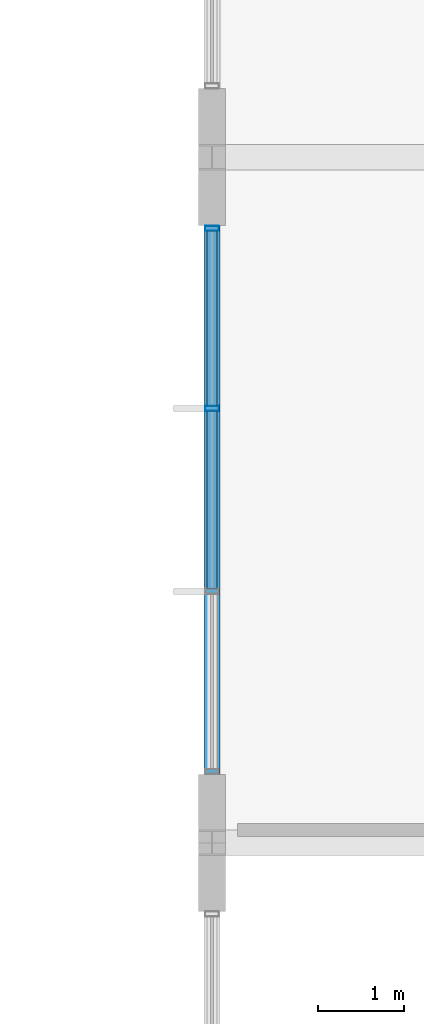
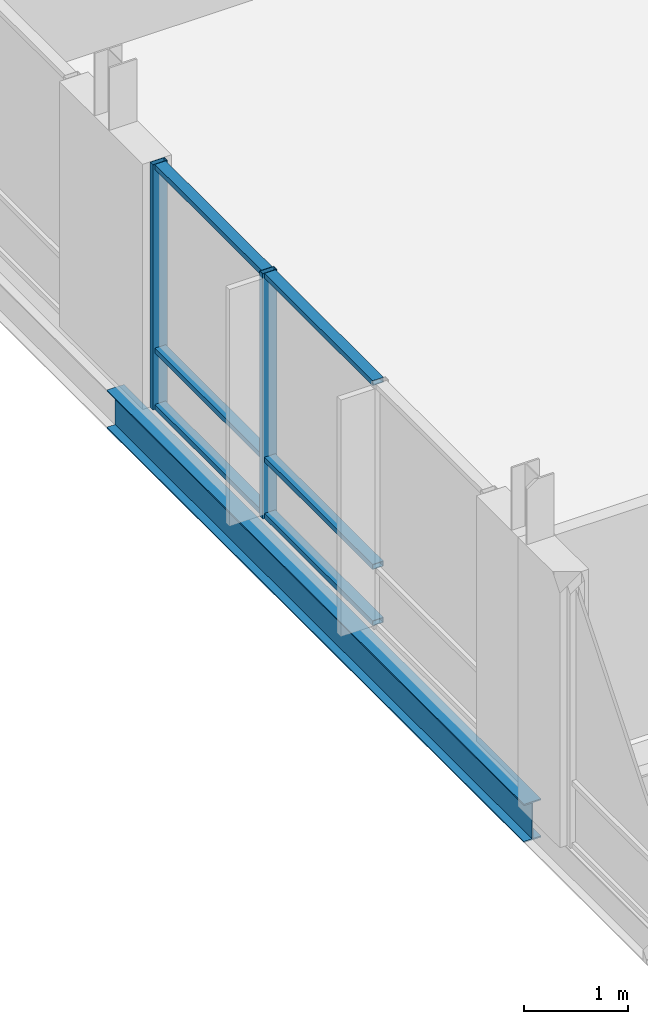
# One storey, part 114 of 189: 8 members, 1 beam, 1 element without a shape of its own.
"""IFC4 building model written with IfcOpenShell, lengths in metres."""

from ifc_helpers import new_model, si_unit, direction, frame, origin, origin_2d, place, context, subcontext, project, spatial, hollow_rectangle, i_section, extrude, material, material_profile, profile_set, type_object, element, aggregate, save


model = new_model("IFC4")

# Units and contexts
model_context = context("Model", 3, precision=1e-05, world=origin(), true_north=direction((0.0, 1.0)))
body_context = subcontext(model_context, "Body", "Model", "MODEL_VIEW")
ifc_project = project(units=[si_unit("LENGTHUNIT", "METRE"), si_unit("AREAUNIT", "SQUARE_METRE"), si_unit("VOLUMEUNIT", "CUBIC_METRE"), si_unit("PLANEANGLEUNIT", "RADIAN"), si_unit("MASSUNIT", "GRAM", prefix="KILO")], contexts=[model_context])

# Site, building, storey
site_placement = place(None, origin())
site = spatial("IfcSite", under=ifc_project, at=site_placement, CompositionType="ELEMENT")
building_placement = place(site_placement, origin())
building = spatial("IfcBuilding", under=site, at=building_placement, Name="Zavelmont Quarter", CompositionType="ELEMENT")
storey_placement = place(building_placement, frame((0.0, 0.0, 4.39990234375)))
storey = spatial("IfcBuildingStorey", under=building, at=storey_placement, Name="L01", CompositionType="ELEMENT", Elevation=4.39990234375)

# Beam
ifc_material_1 = material(Name="Steel S355", Category="steel")
ifc_material_profile_1 = material_profile(ifc_material_1, i_section(OverallWidth=0.18994140625, OverallDepth=0.449951171875, WebThickness=0.009521484375, FlangeThickness=0.0146484375, at=origin_2d()), Name="IPE 450")
ifc_profile_set_1 = profile_set([ifc_material_profile_1], Name="Steel S355")
beam_type = type_object("IfcBeamType", Name="BM12", PredefinedType="BEAM", material=ifc_profile_set_1)
beam_placement = place(storey_placement, frame((133.5, 54.0, -0.5048828125), z_axis=(0.0, 1.0, 0.0), x_axis=(-1.0, 0.0, 0.0)))
element("IfcBeam", 1, at=beam_placement, inside=storey, type_object=beam_type, Name="L01 beam BM12 20/J to 20/K", PredefinedType="BEAM", context=body_context, shape_type="SweptSolid", body=[
    extrude(i_section(OverallWidth=0.18994140625, OverallDepth=0.449951171875, WebThickness=0.009521484375, FlangeThickness=0.0146484375, at=origin_2d()), origin(), (0.0, 0.0, 1.0), 8.0),
])

# Curtain wall, members
ifc_material_2 = material(Name="Thermally broken aluminium and double low-E safety glazing", Category="aluminium")
curtain_wall_type = type_object("IfcCurtainWallType", Name="CW-640X287", PredefinedType="NOTDEFINED", material=ifc_material_2)
curtain_wall_placement = place(storey_placement, origin())
curtain_wall = element("IfcCurtainWall", 2, at=curtain_wall_placement, inside=storey, type_object=curtain_wall_type, Name="L01 unitised curtain wall CW-640X287", PredefinedType="NOTDEFINED")
ifc_material_3 = material(Name="Powder-coated aluminium EN AW-6063-T6", Category="aluminium")
ifc_material_profile_2 = material_profile(ifc_material_3, hollow_rectangle(XDim=0.06005859375, YDim=0.159912109375, WallThickness=0.00390625, at=origin_2d()), Name="CWM60X160")
ifc_profile_set_2 = profile_set([ifc_material_profile_2], Name="Powder-coated aluminium EN AW-6063-T6")
member_type_1 = type_object("IfcMemberType", Name="CWM01", PredefinedType="MULLION", material=ifc_profile_set_2)
member_1_placement = place(storey_placement, frame((133.5, 59.066650390625, 0.0), z_axis=(0.0, 0.0, 1.0), x_axis=(0.0, 1.0, 0.0)))
member_1 = element("IfcMember", 3, at=member_1_placement, type_object=member_type_1, Name="CW-640X287 mullion 3", PredefinedType="MULLION", context=body_context, shape_type="SweptSolid", body=[
    extrude(hollow_rectangle(XDim=0.06005859375, YDim=0.159912109375, WallThickness=0.00390625, at=origin_2d()), origin(), (0.0, 0.0, 1.0), 2.8701171875),
])
member_2_placement = place(storey_placement, frame((133.5, 61.169921875, 0.0), z_axis=(0.0, 0.0, 1.0), x_axis=(0.0, 1.0, 0.0)))
member_2 = element("IfcMember", 4, at=member_2_placement, type_object=member_type_1, Name="CW-640X287 mullion 4", PredefinedType="MULLION", context=body_context, shape_type="SweptSolid", body=[
    extrude(hollow_rectangle(XDim=0.06005859375, YDim=0.159912109375, WallThickness=0.00390625, at=origin_2d()), origin(), (0.0, 0.0, 1.0), 2.8701171875),
])
ifc_material_profile_3 = material_profile(ifc_material_3, hollow_rectangle(XDim=0.1201171875, YDim=0.06005859375, WallThickness=0.00390625, at=origin_2d()), Name="CWT60X120")
ifc_profile_set_3 = profile_set([ifc_material_profile_3], Name="Powder-coated aluminium EN AW-6063-T6")
member_type_2 = type_object("IfcMemberType", Name="CWT01", PredefinedType="NOTDEFINED", material=ifc_profile_set_3)
member_3_placement = place(storey_placement, frame((133.5, 56.96337890625, 0.030029296875), z_axis=(0.0, 1.0, 0.0), x_axis=(-1.0, 0.0, 0.0)))
member_3 = element("IfcMember", 5, at=member_3_placement, type_object=member_type_2, Name="CW-640X287 transom 2.1", ObjectType="TRANSOM", PredefinedType="USERDEFINED", context=body_context, shape_type="SweptSolid", body=[
    extrude(hollow_rectangle(XDim=0.1201171875, YDim=0.06005859375, WallThickness=0.00390625, at=origin_2d()), origin(), (0.0, 0.0, 1.0), 2.0732421875),
])
member_4_placement = place(storey_placement, frame((133.5, 56.96337890625, 0.689208984375), z_axis=(0.0, 1.0, 0.0), x_axis=(-1.0, 0.0, 0.0)))
member_4 = element("IfcMember", 6, at=member_4_placement, type_object=member_type_2, Name="CW-640X287 transom 2.2", ObjectType="TRANSOM", PredefinedType="USERDEFINED", context=body_context, shape_type="SweptSolid", body=[
    extrude(hollow_rectangle(XDim=0.1201171875, YDim=0.06005859375, WallThickness=0.00390625, at=origin_2d()), origin(), (0.0, 0.0, 1.0), 2.0732421875),
])
member_5_placement = place(storey_placement, frame((133.5, 56.96337890625, 2.840087890625), z_axis=(0.0, 1.0, 0.0), x_axis=(-1.0, 0.0, 0.0)))
member_5 = element("IfcMember", 7, at=member_5_placement, type_object=member_type_2, Name="CW-640X287 transom 2.3", ObjectType="TRANSOM", PredefinedType="USERDEFINED", context=body_context, shape_type="SweptSolid", body=[
    extrude(hollow_rectangle(XDim=0.1201171875, YDim=0.06005859375, WallThickness=0.00390625, at=origin_2d()), origin(), (0.0, 0.0, 1.0), 2.0732421875),
])
member_6_placement = place(storey_placement, frame((133.5, 59.0966796875, 0.030029296875), z_axis=(0.0, 1.0, 0.0), x_axis=(-1.0, 0.0, 0.0)))
member_6 = element("IfcMember", 8, at=member_6_placement, type_object=member_type_2, Name="CW-640X287 transom 3.1", ObjectType="TRANSOM", PredefinedType="USERDEFINED", context=body_context, shape_type="SweptSolid", body=[
    extrude(hollow_rectangle(XDim=0.1201171875, YDim=0.06005859375, WallThickness=0.00390625, at=origin_2d()), origin(), (0.0, 0.0, 1.0), 2.043212890625),
])
member_7_placement = place(storey_placement, frame((133.5, 59.0966796875, 0.689208984375), z_axis=(0.0, 1.0, 0.0), x_axis=(-1.0, 0.0, 0.0)))
member_7 = element("IfcMember", 9, at=member_7_placement, type_object=member_type_2, Name="CW-640X287 transom 3.2", ObjectType="TRANSOM", PredefinedType="USERDEFINED", context=body_context, shape_type="SweptSolid", body=[
    extrude(hollow_rectangle(XDim=0.1201171875, YDim=0.06005859375, WallThickness=0.00390625, at=origin_2d()), origin(), (0.0, 0.0, 1.0), 2.043212890625),
])
member_8_placement = place(storey_placement, frame((133.5, 59.0966796875, 2.840087890625), z_axis=(0.0, 1.0, 0.0), x_axis=(-1.0, 0.0, 0.0)))
member_8 = element("IfcMember", 10, at=member_8_placement, type_object=member_type_2, Name="CW-640X287 transom 3.3", ObjectType="TRANSOM", PredefinedType="USERDEFINED", context=body_context, shape_type="SweptSolid", body=[
    extrude(hollow_rectangle(XDim=0.1201171875, YDim=0.06005859375, WallThickness=0.00390625, at=origin_2d()), origin(), (0.0, 0.0, 1.0), 2.043212890625),
])
aggregate(curtain_wall, [member_1, member_2, member_3, member_4, member_5, member_6, member_7, member_8])

save(model, "model.ifc")
